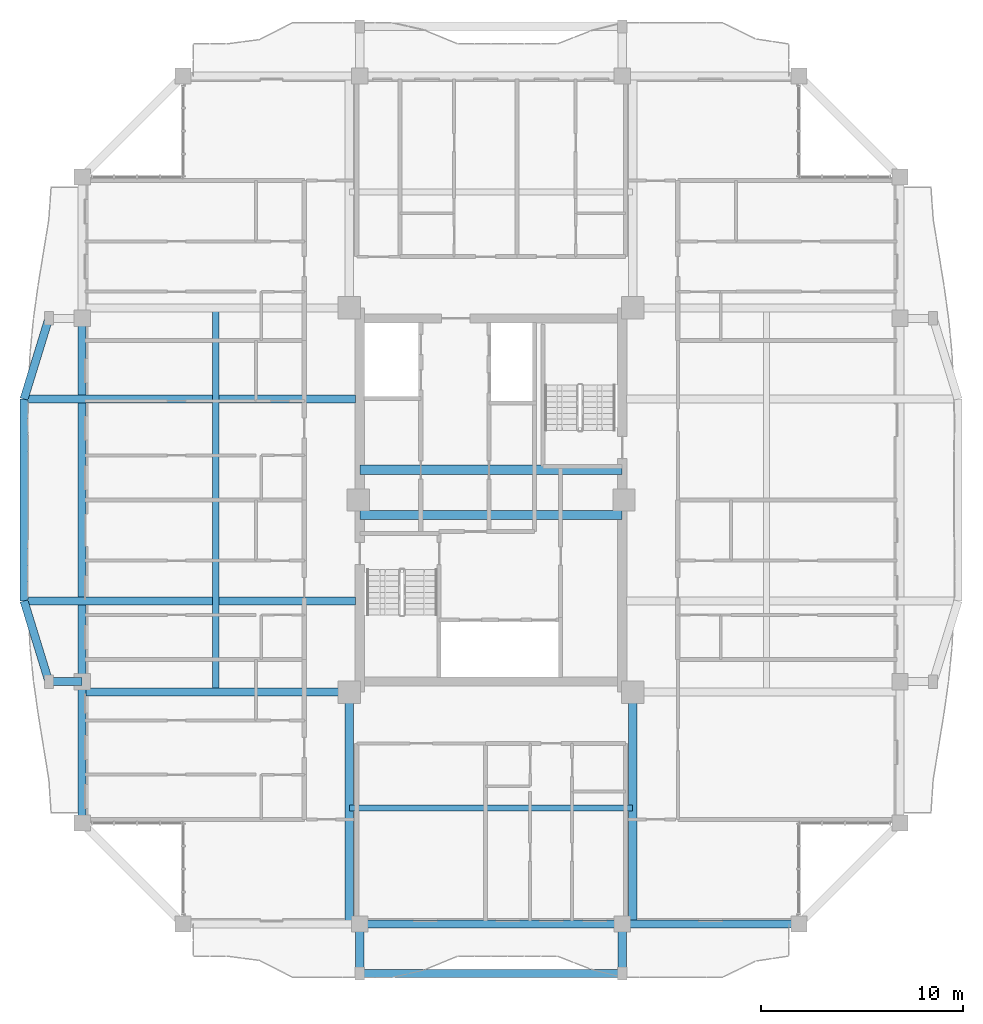
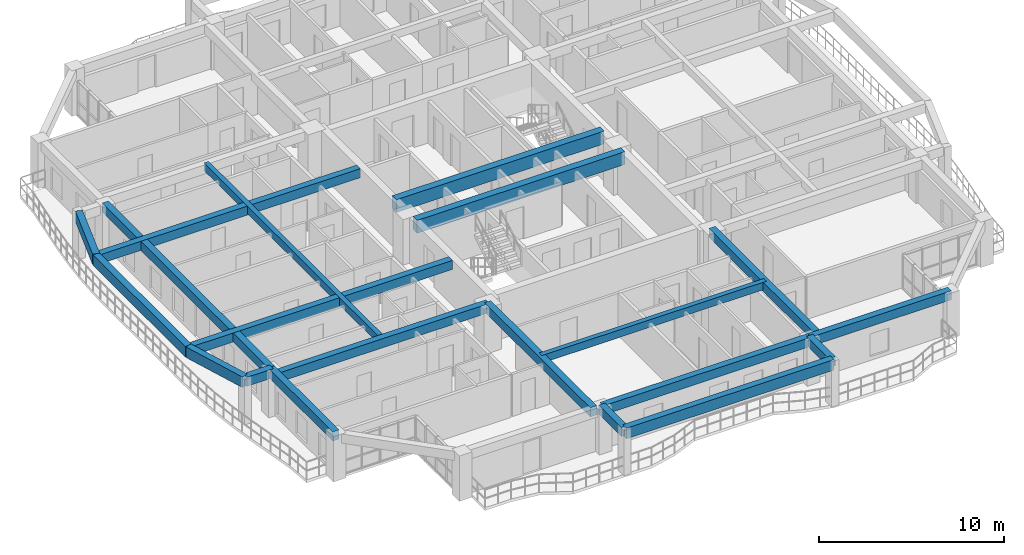
# One storey, part 3 of 21: 20 beams.
"""IFC4 building model written with IfcOpenShell, lengths in metres."""

from ifc_helpers import new_model, si_unit, direction, frame, origin, origin_2d, place, context, subcontext, project, spatial, rectangle, extrude, source, transform, mapped, material, material_profile, profile_set, type_object, element, save


model = new_model("IFC4")

# Units and contexts
model_context = context("Model", 3, precision=1e-05, world=origin(), true_north=direction((0.0, 1.0)))
body_context = subcontext(model_context, "Body", "Model", "MODEL_VIEW")
ifc_project = project(units=[si_unit("LENGTHUNIT", "METRE"), si_unit("AREAUNIT", "SQUARE_METRE"), si_unit("VOLUMEUNIT", "CUBIC_METRE"), si_unit("PLANEANGLEUNIT", "RADIAN"), si_unit("MASSUNIT", "GRAM", prefix="KILO")], contexts=[model_context])

# Site, building, storey
site_placement = place(None, origin())
site = spatial("IfcSite", under=ifc_project, at=site_placement, CompositionType="ELEMENT")
building_placement = place(site_placement, origin())
building = spatial("IfcBuilding", under=site, at=building_placement, Name="Saelheon Loggia Tower", CompositionType="ELEMENT")
storey_placement = place(building_placement, frame((0.0, 0.0, 186.699951171875)))
storey = spatial("IfcBuildingStorey", under=building, at=storey_placement, Name="L58", CompositionType="ELEMENT", Elevation=186.699951171875)

# Beams
ifc_material_1 = material(Name="Concrete C50/60", Category="concrete")
ifc_material_profile_1 = material_profile(ifc_material_1, rectangle(XDim=0.449951171875, YDim=0.85009765625, at=origin_2d()), Name="RC-450x850")
ifc_profile_set_1 = profile_set([ifc_material_profile_1], Name="Concrete C50/60")
beam_type_1 = type_object("IfcBeamType", Name="Beam_CoreLintel_RC450x850", PredefinedType="LINTEL", material=ifc_profile_set_1)
shared_shape_1 = source(origin(), body_context, "Body", "SweptSolid", [
    extrude(rectangle(XDim=0.449951171875, YDim=0.85009765625, at=origin_2d()), origin(), (0.0, 0.0, 1.0), 13.0),
])
for number, where, z_axis, x_axis, name in (
    (1, (31.5, 26.25, 2.574951171875), (1.0, 0.0, 0.0), (0.0, 1.0, 0.0), "L58 Core Coupling Lintel 1"),
    (2, (31.5, 28.5, 2.574951171875), (1.0, 0.0, 0.0), (0.0, 1.0, 0.0), "L58 Core Coupling Lintel 2"),
):
    element("IfcBeam", number, at=place(storey_placement, frame(where, z_axis=z_axis, x_axis=x_axis)), inside=storey, type_object=beam_type_1, Name=name, PredefinedType="LINTEL", context=body_context, shape_type="MappedRepresentation", body=[
        mapped(shared_shape_1, transform((0.0, 0.0, 0.0), scale=1.0)),
    ])
ifc_material_2 = material(Name="Precast Concrete C45/55", Category="concrete")
ifc_material_profile_2 = material_profile(ifc_material_2, rectangle(XDim=0.39990234375, YDim=0.60009765625, at=origin_2d()), Name="RC-400x600")
ifc_profile_set_2 = profile_set([ifc_material_profile_2], Name="Precast Concrete C45/55")
beam_type_2 = type_object("IfcBeamType", Name="Beam_LoggiaTie_RC400x600", PredefinedType="BEAM", material=ifc_profile_set_2)
shared_shape_2 = source(origin(), body_context, "Body", "SweptSolid", [
    extrude(rectangle(XDim=0.39990234375, YDim=0.60009765625, at=origin_2d()), origin(), (0.0, 0.0, 1.0), 2.449951171875),
])
for number, where, z_axis, x_axis, name in (
    (3, (31.5, 6.0, 2.699951171875), (0.0, -1.0, 0.0), (1.0, 0.0, 0.0), "L58 Loggia Frame Tie Beam LP-S1"),
    (4, (44.5, 6.0, 2.699951171875), (0.0, -1.0, 0.0), (1.0, 0.0, 0.0), "L58 Loggia Frame Tie Beam LP-S2"),
):
    element("IfcBeam", number, at=place(storey_placement, frame(where, z_axis=z_axis, x_axis=x_axis)), inside=storey, type_object=beam_type_2, Name=name, PredefinedType="BEAM", context=body_context, shape_type="MappedRepresentation", body=[
        mapped(shared_shape_2, transform((0.0, 0.0, 0.0), scale=1.0)),
    ])
ifc_material_3 = material(Name="Concrete C40/50", Category="concrete")
ifc_material_profile_3 = material_profile(ifc_material_3, rectangle(XDim=0.300048828125, YDim=0.5, at=origin_2d()), Name="RC-300x500")
ifc_profile_set_3 = profile_set([ifc_material_profile_3], Name="Concrete C40/50")
beam_type_3 = type_object("IfcBeamType", Name="Beam_Joist_RC300x500", PredefinedType="JOIST", material=ifc_profile_set_3)
shared_shape_3 = source(origin(), body_context, "Body", "SweptSolid", [
    extrude(rectangle(XDim=0.300048828125, YDim=0.5, at=origin_2d()), origin(), (0.0, 0.0, 1.0), 14.0400390625),
])
beam_1_placement = place(storey_placement, frame((30.97998046875, 11.739990234375, 2.75), z_axis=(1.0, 0.0, 0.0), x_axis=(0.0, 1.0, 0.0)))
element("IfcBeam", 5, at=beam_1_placement, inside=storey, type_object=beam_type_3, Name="L58 South Floor Joist", PredefinedType="JOIST", context=body_context, shape_type="MappedRepresentation", body=[
    mapped(shared_shape_3, transform((0.0, 0.0, 0.0), scale=1.0)),
])
shared_shape_4 = source(origin(), body_context, "Body", "SweptSolid", [
    extrude(rectangle(XDim=0.300048828125, YDim=0.5, at=origin_2d()), origin(), (0.0, 0.0, 1.0), 19.0400390625),
])
beam_2_placement = place(storey_placement, frame((24.364990234375, 17.47998046875, 2.75), z_axis=(0.0, 1.0, 0.0), x_axis=(-1.0, 0.0, 0.0)))
element("IfcBeam", 6, at=beam_2_placement, inside=storey, type_object=beam_type_3, Name="L58 West Floor Joist", PredefinedType="JOIST", context=body_context, shape_type="MappedRepresentation", body=[
    mapped(shared_shape_4, transform((0.0, 0.0, 0.0), scale=1.0)),
])
shared_shape_5 = source(origin(), body_context, "Body", "SweptSolid", [
    extrude(rectangle(XDim=0.39990234375, YDim=0.60009765625, at=origin_2d()), origin(), (0.0, 0.0, 1.0), 1.64990234375),
])
beam_3_placement = place(storey_placement, frame((17.75, 18.0, 2.699951171875), z_axis=(-1.0, 0.0, 0.0), x_axis=(0.0, -1.0, 0.0)))
element("IfcBeam", 7, at=beam_3_placement, inside=storey, type_object=beam_type_2, Name="L58 Loggia Frame Tie Beam LP-W1", PredefinedType="BEAM", context=body_context, shape_type="MappedRepresentation", body=[
    mapped(shared_shape_5, transform((0.0, 0.0, 0.0), scale=1.0)),
])
ifc_material_profile_4 = material_profile(ifc_material_2, rectangle(XDim=0.39990234375, YDim=0.699951171875, at=origin_2d()), Name="RC-400x700")
ifc_profile_set_4 = profile_set([ifc_material_profile_4], Name="Precast Concrete C45/55")
beam_type_4 = type_object("IfcBeamType", Name="Beam_LoggiaSpandrel_RC400x700", PredefinedType="SPANDREL", material=ifc_profile_set_4)
shared_shape_6 = source(origin(), body_context, "Body", "SweptSolid", [
    extrude(rectangle(XDim=0.39990234375, YDim=0.699951171875, at=origin_2d()), origin(), (0.0, 0.0, 1.0), 13.0),
])
beam_4_placement = place(storey_placement, frame((31.5, 3.550048828125, 2.650146484375), z_axis=(1.0, 0.0, 0.0), x_axis=(0.0, 1.0, 0.0)))
element("IfcBeam", 8, at=beam_4_placement, inside=storey, type_object=beam_type_4, Name="L58 Loggia Spandrel Beam S", PredefinedType="SPANDREL", context=body_context, shape_type="MappedRepresentation", body=[
    mapped(shared_shape_6, transform((0.0, 0.0, 0.0), scale=1.0)),
])
shared_shape_7 = source(origin(), body_context, "Body", "SweptSolid", [
    extrude(rectangle(XDim=0.39990234375, YDim=0.60009765625, at=origin_2d()), origin(), (0.0, 0.0, 1.0), 16.409912109375),
])
for number, where, z_axis, x_axis, name in (
    (9, (31.280029296875, 22.0, 2.699951171875), (-1.0, 0.0, 0.0), (0.0, -1.0, 0.0), "L58 Curved Facade Outrigger Beam W 1"),
    (10, (31.280029296875, 32.0, 2.699951171875), (-1.0, 0.0, 0.0), (0.0, -1.0, 0.0), "L58 Curved Facade Outrigger Beam W 2"),
):
    element("IfcBeam", number, at=place(storey_placement, frame(where, z_axis=z_axis, x_axis=x_axis)), inside=storey, type_object=beam_type_2, Name=name, PredefinedType="BEAM", context=body_context, shape_type="MappedRepresentation", body=[
        mapped(shared_shape_7, transform((0.0, 0.0, 0.0), scale=1.0)),
    ])
shared_shape_8 = source(origin(), body_context, "Body", "SweptSolid", [
    extrude(rectangle(XDim=0.39990234375, YDim=0.699951171875, at=origin_2d()), origin(), (0.0, 0.0, 1.0), 4.184814453125),
])
for number, where, z_axis, x_axis, name in (
    (11, (16.10009765625, 18.0, 2.650146484375), (-0.293913664135, 0.955831971653, 0.0), (-0.955831971653, -0.293913664135, 0.0), "L58 Curved Loggia Spandrel W 1"),
    (12, (14.8701171875, 32.0, 2.650146484375), (0.293913664135, 0.955831971653, 0.0), (-0.955831971653, 0.293913664135, 0.0), "L58 Curved Loggia Spandrel W 3"),
):
    element("IfcBeam", number, at=place(storey_placement, frame(where, z_axis=z_axis, x_axis=x_axis)), inside=storey, type_object=beam_type_4, Name=name, PredefinedType="SPANDREL", context=body_context, shape_type="MappedRepresentation", body=[
        mapped(shared_shape_8, transform((0.0, 0.0, 0.0), scale=1.0)),
    ])
shared_shape_9 = source(origin(), body_context, "Body", "SweptSolid", [
    extrude(rectangle(XDim=0.39990234375, YDim=0.699951171875, at=origin_2d()), origin(), (0.0, 0.0, 1.0), 10.0),
])
beam_5_placement = place(storey_placement, frame((14.8701171875, 22.0, 2.650146484375), z_axis=(0.0, 1.0, 0.0), x_axis=(-1.0, 0.0, 0.0)))
element("IfcBeam", 13, at=beam_5_placement, inside=storey, type_object=beam_type_4, Name="L58 Curved Loggia Spandrel W 2", PredefinedType="SPANDREL", context=body_context, shape_type="MappedRepresentation", body=[
    mapped(shared_shape_9, transform((0.0, 0.0, 0.0), scale=1.0)),
])
ifc_material_profile_5 = material_profile(ifc_material_3, rectangle(XDim=0.39990234375, YDim=0.60009765625, at=origin_2d()), Name="RC-400x600")
ifc_profile_set_5 = profile_set([ifc_material_profile_5], Name="Concrete C40/50")
beam_type_5 = type_object("IfcBeamType", Name="Beam_PerimUpper_RC400x600", PredefinedType="BEAM", material=ifc_profile_set_5)
shared_shape_10 = source(origin(), body_context, "Body", "SweptSolid", [
    extrude(rectangle(XDim=0.39990234375, YDim=0.60009765625, at=origin_2d()), origin(), (0.0, 0.0, 1.0), 8.75),
])
beam_6_placement = place(storey_placement, frame((44.5, 6.0, 2.699951171875), z_axis=(1.0, 0.0, 0.0), x_axis=(0.0, 1.0, 0.0)))
element("IfcBeam", 14, at=beam_6_placement, inside=storey, type_object=beam_type_5, Name="L58 Perimeter Frame Girder 03", PredefinedType="BEAM", context=body_context, shape_type="MappedRepresentation", body=[
    mapped(shared_shape_10, transform((0.0, 0.0, 0.0), scale=1.0)),
])
shared_shape_11 = source(origin(), body_context, "Body", "SweptSolid", [
    extrude(rectangle(XDim=0.39990234375, YDim=0.60009765625, at=origin_2d()), origin(), (0.0, 0.0, 1.0), 13.0),
])
beam_7_placement = place(storey_placement, frame((31.5, 6.0, 2.699951171875), z_axis=(1.0, 0.0, 0.0), x_axis=(0.0, 1.0, 0.0)))
element("IfcBeam", 15, at=beam_7_placement, inside=storey, type_object=beam_type_5, Name="L58 Perimeter Frame Girder 02", PredefinedType="BEAM", context=body_context, shape_type="MappedRepresentation", body=[
    mapped(shared_shape_11, transform((0.0, 0.0, 0.0), scale=1.0)),
])
shared_shape_12 = source(origin(), body_context, "Body", "SweptSolid", [
    extrude(rectangle(XDim=0.39990234375, YDim=0.60009765625, at=origin_2d()), origin(), (0.0, 0.0, 1.0), 7.0),
])
beam_8_placement = place(storey_placement, frame((17.75, 18.0, 2.699951171875), z_axis=(0.0, -1.0, 0.0), x_axis=(1.0, 0.0, 0.0)))
element("IfcBeam", 16, at=beam_8_placement, inside=storey, type_object=beam_type_5, Name="L58 Perimeter Frame Girder 15", PredefinedType="BEAM", context=body_context, shape_type="MappedRepresentation", body=[
    mapped(shared_shape_12, transform((0.0, 0.0, 0.0), scale=1.0)),
])
shared_shape_13 = source(origin(), body_context, "Body", "SweptSolid", [
    extrude(rectangle(XDim=0.39990234375, YDim=0.60009765625, at=origin_2d()), origin(), (0.0, 0.0, 1.0), 18.0),
])
beam_9_placement = place(storey_placement, frame((17.75, 36.0, 2.699951171875), z_axis=(0.0, -1.0, 0.0), x_axis=(1.0, 0.0, 0.0)))
element("IfcBeam", 17, at=beam_9_placement, inside=storey, type_object=beam_type_5, Name="L58 Perimeter Frame Girder 14", PredefinedType="BEAM", context=body_context, shape_type="MappedRepresentation", body=[
    mapped(shared_shape_13, transform((0.0, 0.0, 0.0), scale=1.0)),
])
ifc_material_profile_6 = material_profile(ifc_material_3, rectangle(XDim=0.39990234375, YDim=0.60009765625, at=origin_2d()), Name="RC-400x600")
ifc_profile_set_6 = profile_set([ifc_material_profile_6], Name="Concrete C40/50")
beam_type_6 = type_object("IfcBeamType", Name="Beam_UpperGirder_RC400x600", PredefinedType="BEAM", material=ifc_profile_set_6)
shared_shape_14 = source(origin(), body_context, "Body", "SweptSolid", [
    extrude(rectangle(XDim=0.39990234375, YDim=0.60009765625, at=origin_2d()), origin(), (0.0, 0.0, 1.0), 11.47998046875),
])
for number, where, z_axis, x_axis, name in (
    (18, (30.97998046875, 17.47998046875, 2.699951171875), (0.0, -1.0, 0.0), (1.0, 0.0, 0.0), "L58 Radial Floor Girder RAD-SW-S"),
    (19, (45.02001953125, 17.47998046875, 2.699951171875), (0.0, -1.0, 0.0), (1.0, 0.0, 0.0), "L58 Radial Floor Girder RAD-SE-S"),
):
    element("IfcBeam", number, at=place(storey_placement, frame(where, z_axis=z_axis, x_axis=x_axis)), inside=storey, type_object=beam_type_6, Name=name, PredefinedType="BEAM", context=body_context, shape_type="MappedRepresentation", body=[
        mapped(shared_shape_14, transform((0.0, 0.0, 0.0), scale=1.0)),
    ])
shared_shape_15 = source(origin(), body_context, "Body", "SweptSolid", [
    extrude(rectangle(XDim=0.39990234375, YDim=0.60009765625, at=origin_2d()), origin(), (0.0, 0.0, 1.0), 13.22998046875),
])
beam_10_placement = place(storey_placement, frame((30.97998046875, 17.47998046875, 2.699951171875), z_axis=(-1.0, 0.0, 0.0), x_axis=(0.0, -1.0, 0.0)))
element("IfcBeam", 20, at=beam_10_placement, inside=storey, type_object=beam_type_6, Name="L58 Radial Floor Girder RAD-SW-W", PredefinedType="BEAM", context=body_context, shape_type="MappedRepresentation", body=[
    mapped(shared_shape_15, transform((0.0, 0.0, 0.0), scale=1.0)),
])

save(model, "model.ifc")
